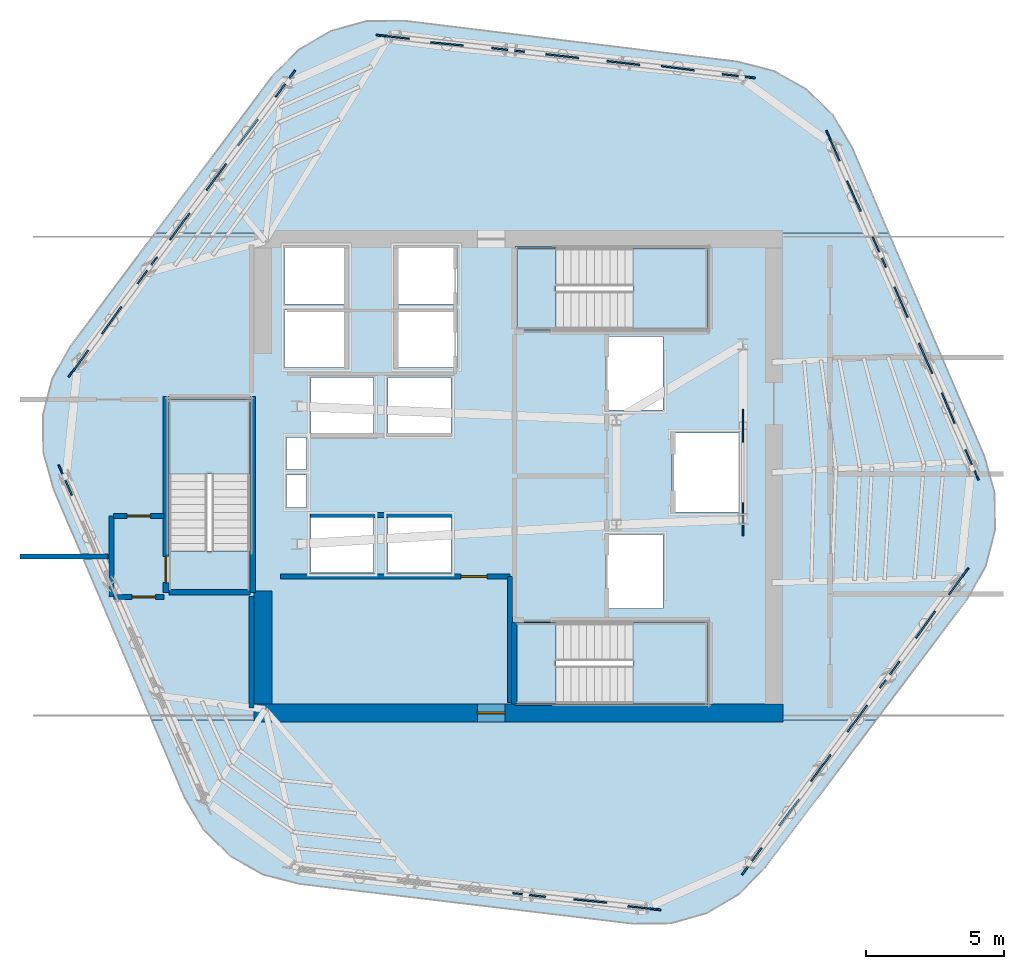
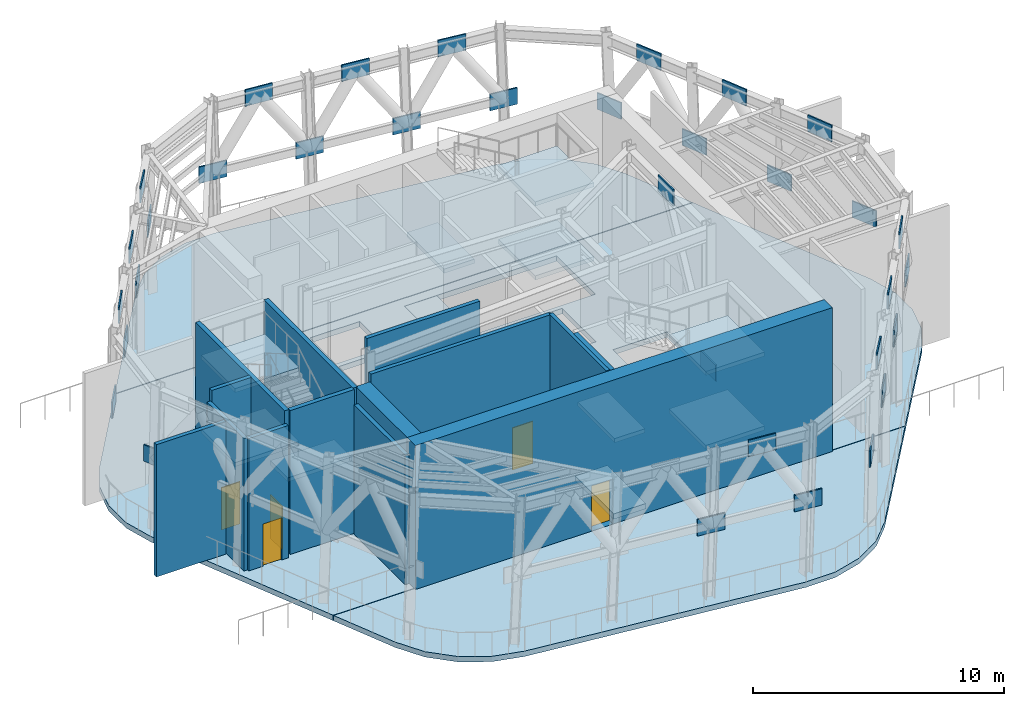
# One storey, part 4 of 10: 34 plates, 14 slabs, 14 walls, 5 doors, 5 openings, 3 elements without a shape of their own.
"""IFC4 building model written with IfcOpenShell, lengths in metres."""

from ifc_helpers import new_model, si_unit, direction, frame, frame_2d, origin, origin_2d, place, context, subcontext, project, spatial, polyline, rectangle, outline, extrude, material, layer, layer_set, type_object, element, fill, aggregate, save


model = new_model("IFC4")

# Units and contexts
model_context = context("Model", 3, precision=1e-05, world=origin(), true_north=direction((0.0, 1.0)))
body_context = subcontext(model_context, "Body", "Model", "MODEL_VIEW")
ifc_project = project(units=[si_unit("LENGTHUNIT", "METRE"), si_unit("AREAUNIT", "SQUARE_METRE"), si_unit("VOLUMEUNIT", "CUBIC_METRE"), si_unit("PLANEANGLEUNIT", "RADIAN"), si_unit("MASSUNIT", "GRAM", prefix="KILO")], contexts=[model_context])

# Site, building, storey
site_placement = place(None, origin())
site = spatial("IfcSite", under=ifc_project, at=site_placement, CompositionType="ELEMENT")
building_placement = place(site_placement, origin())
building = spatial("IfcBuilding", under=site, at=building_placement, Name="Valkerne Bourse Tower", CompositionType="ELEMENT")
storey_placement = place(building_placement, frame((0.0, 0.0, 251.199951171875)))
storey = spatial("IfcBuildingStorey", under=building, at=storey_placement, Name="L64", CompositionType="ELEMENT", Elevation=251.199951171875)

# Plates
ifc_material_1 = material(Name="Steel ASTM A572 Grade 50", Category="steel")
ifc_layer_1 = layer(ifc_material_1, 0.06005859375)
ifc_layer_set_1 = layer_set([ifc_layer_1], Name="Steel ASTM A572 Grade 50")
plate_type = type_object("IfcPlateType", Name="PLT-GUS-60", PredefinedType="SHEET", material=ifc_layer_set_1)
for number, where, z_axis, x_axis, name in (
    (1, (54.788330078125, 41.390625, 3.10009765625), (0.0, 0.0, 1.0), (-0.993650644295, 0.112509542228, 0.0), "L64 Brace Node Gusset Plate PLT-GUS-END-L64-284"),
    (2, (50.603271484375, 41.86474609375, 3.10009765625), (0.0, 0.0, 1.0), (-0.993650644295, 0.112509542228, 0.0), "L64 Brace Node Gusset Plate PLT-GUS-END-L64-285"),
    (3, (52.57763671875, 41.67529296875, 6.3232421875), (0.0, 0.0, 1.0), (-0.991805493047, 0.127757050534, 0.0), "L64 Brace Node Gusset Plate PLT-GUS-END-L64-286"),
    (4, (46.41796875, 42.338623046875, 3.10009765625), (0.0, 0.0, 1.0), (-0.993650644295, 0.112509542228, 0.0), "L64 Brace Node Gusset Plate PLT-GUS-END-L64-287"),
    (5, (48.388671875, 42.115478515625, 6.3232421875), (0.0, 0.0, 1.0), (-0.993650644295, 0.112509542228, 0.0), "L64 Brace Node Gusset Plate PLT-GUS-END-L64-288"),
    (6, (42.23291015625, 42.812744140625, 3.10009765625), (0.0, 0.0, 1.0), (-0.993650644295, 0.112509542228, 0.0), "L64 Brace Node Gusset Plate PLT-GUS-END-L64-289"),
    (7, (44.19970703125, 42.555908203125, 6.3232421875), (0.0, 0.0, 1.0), (-0.995244416253, 0.097409198324, 0.0), "L64 Brace Node Gusset Plate PLT-GUS-END-L64-290"),
    (8, (38.33154296875, 41.11328125, 3.10009765625), (0.0, 0.0, 1.0), (-0.594261443885, -0.804271929332, 0.0), "L64 Brace Node Gusset Plate PLT-GUS-END-L64-291"),
    (9, (35.828369140625, 37.72607421875, 3.10009765625), (0.0, 0.0, 1.0), (-0.594261443885, -0.804271929332, 0.0), "L64 Brace Node Gusset Plate PLT-GUS-END-L64-292"),
    (10, (36.979736328125, 39.34130859375, 6.3232421875), (0.0, 0.0, 1.0), (-0.606543597799, -0.795050227325, 0.0), "L64 Brace Node Gusset Plate PLT-GUS-END-L64-293"),
    (11, (33.3251953125, 34.338623046875, 3.10009765625), (0.0, 0.0, 1.0), (-0.594261443885, -0.804271929332, 0.0), "L64 Brace Node Gusset Plate PLT-GUS-END-L64-294"),
    (12, (34.50390625, 35.93359375, 6.3232421875), (0.0, 0.0, 1.0), (-0.594261443885, -0.804271929332, 0.0), "L64 Brace Node Gusset Plate PLT-GUS-END-L64-295"),
    (13, (30.822265625, 30.951171875, 3.10009765625), (0.0, 0.0, 1.0), (-0.594261443885, -0.804271929332, 0.0), "L64 Brace Node Gusset Plate PLT-GUS-END-L64-296"),
    (14, (32.0283203125, 32.52587890625, 6.3232421875), (0.0, 0.0, 1.0), (-0.581981048437, -0.813202348287, 0.0), "L64 Brace Node Gusset Plate PLT-GUS-END-L64-297"),
    (15, (30.34326171875, 26.72265625, 3.10009765625), (0.0, 0.0, 1.0), (0.39938920041, -0.91678147156, 0.0), "L64 Brace Node Gusset Plate PLT-GUS-END-L64-298"),
    (16, (47.181884765625, 11.661376953125, 3.10009765625), (0.0, 0.0, 1.0), (0.993650644295, -0.112509542228, 0.0), "L64 Brace Node Gusset Plate PLT-GUS-END-L64-308"),
    (17, (51.366943359375, 11.187255859375, 3.10009765625), (0.0, 0.0, 1.0), (0.993650644295, -0.112509542228, 0.0), "L64 Brace Node Gusset Plate PLT-GUS-END-L64-310"),
    (18, (49.400146484375, 11.4443359375, 6.3232421875), (0.0, 0.0, 1.0), (0.995244416253, -0.097409198324, 0.0), "L64 Brace Node Gusset Plate PLT-GUS-END-L64-311"),
    (19, (55.2685546875, 12.88671875, 3.10009765625), (0.0, 0.0, 1.0), (0.594261443885, 0.804271929332, 0.0), "L64 Brace Node Gusset Plate PLT-GUS-END-L64-312"),
    (20, (57.771484375, 16.27392578125, 3.10009765625), (0.0, 0.0, 1.0), (0.594261443885, 0.804271929332, 0.0), "L64 Brace Node Gusset Plate PLT-GUS-END-L64-313"),
    (21, (56.620361328125, 14.65869140625, 6.3232421875), (0.0, 0.0, 1.0), (0.606543597799, 0.795050227325, 0.0), "L64 Brace Node Gusset Plate PLT-GUS-END-L64-314"),
    (22, (60.274658203125, 19.661376953125, 3.10009765625), (0.0, 0.0, 1.0), (0.594261443885, 0.804271929332, 0.0), "L64 Brace Node Gusset Plate PLT-GUS-END-L64-315"),
    (23, (59.095947265625, 18.06640625, 6.3232421875), (0.0, 0.0, 1.0), (0.594261443885, 0.804271929332, 0.0), "L64 Brace Node Gusset Plate PLT-GUS-END-L64-316"),
    (24, (62.77783203125, 23.048828125, 3.10009765625), (0.0, 0.0, 1.0), (0.594261443885, 0.804271929332, 0.0), "L64 Brace Node Gusset Plate PLT-GUS-END-L64-317"),
    (25, (61.57177734375, 21.47412109375, 6.3232421875), (0.0, 0.0, 1.0), (0.581981048437, 0.813202348287, 0.0), "L64 Brace Node Gusset Plate PLT-GUS-END-L64-318"),
    (26, (63.2568359375, 27.27734375, 3.10009765625), (0.0, 0.0, 1.0), (-0.39938920041, 0.91678147156, 0.0), "L64 Brace Node Gusset Plate PLT-GUS-END-L64-319"),
    (27, (61.57470703125, 31.138671875, 3.10009765625), (0.0, 0.0, 1.0), (-0.39938920041, 0.91678147156, 0.0), "L64 Brace Node Gusset Plate PLT-GUS-END-L64-320"),
    (28, (62.39794921875, 29.333984375, 6.3232421875), (0.0, 0.0, 1.0), (-0.385422949633, 0.922740022919, 0.0), "L64 Brace Node Gusset Plate PLT-GUS-END-L64-321"),
    (29, (59.892822265625, 35.0, 3.10009765625), (0.0, 0.0, 1.0), (-0.39938920041, 0.91678147156, 0.0), "L64 Brace Node Gusset Plate PLT-GUS-END-L64-322"),
    (30, (60.684814453125, 33.181884765625, 6.3232421875), (0.0, 0.0, 1.0), (-0.39938920041, 0.91678147156, 0.0), "L64 Brace Node Gusset Plate PLT-GUS-END-L64-323"),
    (31, (58.210693359375, 38.861572265625, 3.10009765625), (0.0, 0.0, 1.0), (-0.39938920041, 0.91678147156, 0.0), "L64 Brace Node Gusset Plate PLT-GUS-END-L64-324"),
    (32, (58.9716796875, 37.02978515625, 6.3232421875), (0.0, 0.0, 1.0), (-0.413263367815, 0.910611546611, 0.0), "L64 Brace Node Gusset Plate PLT-GUS-END-L64-325"),
    (33, (54.949951171875, 25.300048828125, -0.18017578125), (0.0, 0.0, 1.0), (0.0, 1.0, 0.0), "L64 Brace Node Gusset Plate PLT-GUS-END-L64-444"),
    (34, (54.949951171875, 28.699951171875, 6.2939453125), (0.0, 0.0, 1.0), (0.0, 1.0, 0.0), "L64 Brace Node Gusset Plate PLT-GUS-END-L64-445"),
):
    element("IfcPlate", number, at=place(storey_placement, frame(where, z_axis=z_axis, x_axis=x_axis)), inside=storey, type_object=plate_type, Name=name, PredefinedType="SHEET", context=body_context, shape_type="SweptSolid", body=[
        extrude(rectangle(XDim=1.199951171875, YDim=0.06005859375, at=origin_2d()), origin(), (0.0, 0.0, 1.0), 0.800048828125),
    ])

# Slabs
ifc_material_2 = material(Name="Concrete C40/50", Category="concrete")
ifc_layer_2 = layer(ifc_material_2, 0.260009765625)
ifc_layer_set_2 = layer_set([ifc_layer_2], Name="Concrete C40/50")
slab_type_1 = type_object("IfcSlabType", Name="SLB-PTL-260", PredefinedType="FLOOR", material=ifc_layer_set_2)
slab_1_placement = place(storey_placement, frame((0.0, 0.0, -0.260009765625)))
element("IfcSlab", 35, at=slab_1_placement, inside=storey, type_object=slab_type_1, Name="L64 Wind Portal Central Core & Bridge Slab", PredefinedType="FLOOR", context=body_context, shape_type="SweptSolid", body=[
    extrude(outline(polyline([(60.230712890625, 35.699951171875), (63.71337890625, 27.572265625), (64.07861328125, 26.264892578125), (64.0927734375, 24.907470703125), (63.755126953125, 23.592529296875), (63.088623046875, 22.409912109375), (59.79638671875, 18.0400390625), (33.4697265625, 18.0400390625), (29.90966796875, 26.425048828125), (29.544677734375, 27.732421875), (29.530517578125, 29.08984375), (29.867919921875, 30.40478515625), (30.534423828125, 31.58740234375), (33.61181640625, 35.699951171875), (60.230712890625, 35.699951171875)]), holes=[polyline([(34.034912109375, 22.6650390625), (34.034912109375, 29.675048828125), (37.114990234375, 29.675048828125), (37.114990234375, 22.6650390625), (34.034912109375, 22.6650390625)]), polyline([(38.31005859375, 32.889892578125), (40.590087890625, 32.889892578125), (40.590087890625, 30.81005859375), (38.31005859375, 30.81005859375), (38.31005859375, 32.889892578125)]), polyline([(38.31005859375, 35.18994140625), (40.590087890625, 35.18994140625), (40.590087890625, 33.110107421875), (38.31005859375, 33.110107421875), (38.31005859375, 35.18994140625)]), polyline([(38.3798828125, 26.89990234375), (39.10009765625, 26.89990234375), (39.10009765625, 25.72998046875), (38.3798828125, 25.72998046875), (38.3798828125, 26.89990234375)]), polyline([(38.3798828125, 28.27001953125), (39.10009765625, 28.27001953125), (39.10009765625, 27.10009765625), (38.3798828125, 27.10009765625), (38.3798828125, 28.27001953125)]), polyline([(39.260009765625, 25.43994140625), (41.5400390625, 25.43994140625), (41.5400390625, 23.360107421875), (39.260009765625, 23.360107421875), (39.260009765625, 25.43994140625)]), polyline([(39.260009765625, 30.43994140625), (41.5400390625, 30.43994140625), (41.5400390625, 28.360107421875), (39.260009765625, 28.360107421875), (39.260009765625, 30.43994140625)]), polyline([(42.06005859375, 25.43994140625), (44.340087890625, 25.43994140625), (44.340087890625, 23.360107421875), (42.06005859375, 23.360107421875), (42.06005859375, 25.43994140625)]), polyline([(42.06005859375, 30.43994140625), (44.340087890625, 30.43994140625), (44.340087890625, 28.360107421875), (42.06005859375, 28.360107421875), (42.06005859375, 30.43994140625)]), polyline([(42.31005859375, 32.889892578125), (44.590087890625, 32.889892578125), (44.590087890625, 30.81005859375), (42.31005859375, 30.81005859375), (42.31005859375, 32.889892578125)]), polyline([(42.31005859375, 35.18994140625), (44.590087890625, 35.18994140625), (44.590087890625, 33.110107421875), (42.31005859375, 33.110107421875), (42.31005859375, 35.18994140625)]), polyline([(46.6650390625, 21.614990234375), (53.675048828125, 21.614990234375), (53.675048828125, 18.534912109375), (46.6650390625, 18.534912109375), (46.6650390625, 21.614990234375)]), polyline([(46.6650390625, 35.215087890625), (53.675048828125, 35.215087890625), (53.675048828125, 32.135009765625), (46.6650390625, 32.135009765625), (46.6650390625, 35.215087890625)]), polyline([(49.9599609375, 24.739990234375), (52.0400390625, 24.739990234375), (52.0400390625, 22.06005859375), (49.9599609375, 22.06005859375), (49.9599609375, 24.739990234375)]), polyline([(49.9599609375, 31.93994140625), (52.0400390625, 31.93994140625), (52.0400390625, 29.260009765625), (49.9599609375, 29.260009765625), (49.9599609375, 31.93994140625)]), polyline([(52.360107421875, 28.43994140625), (54.840087890625, 28.43994140625), (54.840087890625, 25.56005859375), (52.360107421875, 25.56005859375), (52.360107421875, 28.43994140625)])]), origin(), (0.0, 0.0, 1.0), 0.260009765625),
])
slab_2_placement = place(storey_placement, frame((0.0, 0.0, -0.260009765625)))
element("IfcSlab", 36, at=slab_2_placement, inside=storey, type_object=slab_type_1, Name="L64 Open Wind Portal Refuge Deck S", PredefinedType="FLOOR", context=body_context, shape_type="SweptSolid", body=[
    extrude(outline(polyline([(55.7431640625, 12.66015625), (54.79345703125, 11.690185546875), (53.625, 10.999267578125), (52.3173828125, 10.634033203125), (50.960205078125, 10.619873046875), (38.8388671875, 12.06640625), (37.52392578125, 12.404052734375), (36.34130859375, 13.0703125), (35.37158203125, 14.020263671875), (34.680419921875, 15.188720703125), (33.478271484375, 18.02001953125), (59.78125, 18.02001953125), (55.7431640625, 12.66015625)])), origin(), (0.0, 0.0, 1.0), 0.260009765625),
])
slab_3_placement = place(storey_placement, frame((0.0, 0.0, -0.260009765625)))
element("IfcSlab", 37, at=slab_3_placement, inside=storey, type_object=slab_type_1, Name="L64 Open Wind Portal Refuge Deck N", PredefinedType="FLOOR", context=body_context, shape_type="SweptSolid", body=[
    extrude(outline(polyline([(37.84765625, 41.361328125), (38.797607421875, 42.331298828125), (39.9658203125, 43.022216796875), (41.2734375, 43.38720703125), (42.630859375, 43.401611328125), (54.747314453125, 41.914794921875), (56.06201171875, 41.577392578125), (57.24462890625, 40.910888671875), (58.214599609375, 39.961181640625), (58.905517578125, 38.792724609375), (60.22216796875, 35.719970703125), (33.626708984375, 35.719970703125), (37.84765625, 41.361328125)])), origin(), (0.0, 0.0, 1.0), 0.260009765625),
])
ifc_layer_3 = layer(ifc_material_2, 0.25)
ifc_layer_set_3 = layer_set([ifc_layer_3], Name="Concrete C40/50")
slab_type_2 = type_object("IfcSlabType", Name="SLB-RMP-LND-250", PredefinedType="LANDING", material=ifc_layer_set_3)
slab_4_placement = place(storey_placement, frame((0.0, 0.0, -0.260009765625)))
element("IfcSlab", 38, at=slab_4_placement, inside=storey, type_object=slab_type_2, Name="L64 ST-1 Floor Landing Slab", PredefinedType="LANDING", context=body_context, shape_type="SweptSolid", body=[
    extrude(outline(polyline([(46.669921875, 18.5400390625), (48.14990234375, 18.5400390625), (48.14990234375, 21.610107421875), (46.669921875, 21.610107421875), (46.669921875, 18.5400390625)])), origin(), (0.0, 0.0, 1.0), 0.260009765625),
])
slab_5_placement = place(storey_placement, frame((0.0, 0.0, -0.260009765625)))
element("IfcSlab", 39, at=slab_5_placement, inside=storey, type_object=slab_type_2, Name="L64 ST-2 Floor Landing Slab", PredefinedType="LANDING", context=body_context, shape_type="SweptSolid", body=[
    extrude(outline(polyline([(46.669921875, 32.139892578125), (48.14990234375, 32.139892578125), (48.14990234375, 35.2099609375), (46.669921875, 35.2099609375), (46.669921875, 32.139892578125)])), origin(), (0.0, 0.0, 1.0), 0.260009765625),
])

# Stair, slabs
stair_type = type_object("IfcStairType", Name="ST-CORE-1400", PredefinedType="HALF_TURN_STAIR", material=ifc_material_2)
stair_1_placement = place(storey_placement, origin())
stair_1 = element("IfcStair", 40, at=stair_1_placement, inside=storey, type_object=stair_type, Name="L64 ST-1", PredefinedType="HALF_TURN_STAIR")
ifc_layer_4 = layer(ifc_material_2, 0.179931640625)
ifc_layer_set_4 = layer_set([ifc_layer_4], Name="Concrete C40/50")
slab_type_3 = type_object("IfcSlabType", Name="SLB-ST-LND-180", PredefinedType="LANDING", material=ifc_layer_set_4)
slab_6_placement = place(storey_placement, frame((0.0, 0.0, 1.60009765625)))
slab_6 = element("IfcSlab", 41, at=slab_6_placement, type_object=slab_type_3, Name="ST-1 landing 1", PredefinedType="LANDING", context=body_context, shape_type="SweptSolid", body=[
    extrude(outline(polyline([(50.949951171875, 18.60009765625), (53.64990234375, 18.60009765625), (53.64990234375, 21.550048828125), (50.949951171875, 21.550048828125), (50.949951171875, 18.60009765625)])), origin(), (0.0, 0.0, 1.0), 0.199951171875),
])
slab_7_placement = place(storey_placement, frame((0.0, 0.0, 3.400146484375)))
slab_7 = element("IfcSlab", 42, at=slab_7_placement, type_object=slab_type_3, Name="ST-1 landing 2", PredefinedType="LANDING", context=body_context, shape_type="SweptSolid", body=[
    extrude(outline(polyline([(46.75, 18.60009765625), (48.14990234375, 18.60009765625), (48.14990234375, 21.550048828125), (46.75, 21.550048828125), (46.75, 18.60009765625)])), origin(), (0.0, 0.0, 1.0), 0.199951171875),
])
slab_8_placement = place(storey_placement, frame((0.0, 0.0, 5.199951171875)))
slab_8 = element("IfcSlab", 43, at=slab_8_placement, type_object=slab_type_3, Name="ST-1 landing 3", PredefinedType="LANDING", context=body_context, shape_type="SweptSolid", body=[
    extrude(outline(polyline([(50.949951171875, 18.60009765625), (53.64990234375, 18.60009765625), (53.64990234375, 21.550048828125), (50.949951171875, 21.550048828125), (50.949951171875, 18.60009765625)])), origin(), (0.0, 0.0, 1.0), 0.2001953125),
])
aggregate(stair_1, [slab_6, slab_7, slab_8])

stair_2_placement = place(storey_placement, origin())
stair_2 = element("IfcStair", 44, at=stair_2_placement, inside=storey, type_object=stair_type, Name="L64 ST-2", PredefinedType="HALF_TURN_STAIR")
slab_9_placement = place(storey_placement, frame((0.0, 0.0, 1.60009765625)))
slab_9 = element("IfcSlab", 45, at=slab_9_placement, type_object=slab_type_3, Name="ST-2 landing 1", PredefinedType="LANDING", context=body_context, shape_type="SweptSolid", body=[
    extrude(outline(polyline([(50.949951171875, 32.199951171875), (53.64990234375, 32.199951171875), (53.64990234375, 35.14990234375), (50.949951171875, 35.14990234375), (50.949951171875, 32.199951171875)])), origin(), (0.0, 0.0, 1.0), 0.199951171875),
])
slab_10_placement = place(storey_placement, frame((0.0, 0.0, 3.400146484375)))
slab_10 = element("IfcSlab", 46, at=slab_10_placement, type_object=slab_type_3, Name="ST-2 landing 2", PredefinedType="LANDING", context=body_context, shape_type="SweptSolid", body=[
    extrude(outline(polyline([(46.75, 32.199951171875), (48.14990234375, 32.199951171875), (48.14990234375, 35.14990234375), (46.75, 35.14990234375), (46.75, 32.199951171875)])), origin(), (0.0, 0.0, 1.0), 0.199951171875),
])
slab_11_placement = place(storey_placement, frame((0.0, 0.0, 5.199951171875)))
slab_11 = element("IfcSlab", 47, at=slab_11_placement, type_object=slab_type_3, Name="ST-2 landing 3", PredefinedType="LANDING", context=body_context, shape_type="SweptSolid", body=[
    extrude(outline(polyline([(50.949951171875, 32.199951171875), (53.64990234375, 32.199951171875), (53.64990234375, 35.14990234375), (50.949951171875, 35.14990234375), (50.949951171875, 32.199951171875)])), origin(), (0.0, 0.0, 1.0), 0.2001953125),
])
aggregate(stair_2, [slab_9, slab_10, slab_11])

stair_3_placement = place(storey_placement, origin())
stair_3 = element("IfcStair", 48, at=stair_3_placement, inside=storey, type_object=stair_type, Name="L64 ST-3", PredefinedType="HALF_TURN_STAIR")
slab_12_placement = place(storey_placement, frame((0.0, 0.0, 1.60009765625)))
slab_12 = element("IfcSlab", 49, at=slab_12_placement, type_object=slab_type_3, Name="ST-3 landing 1", PredefinedType="LANDING", context=body_context, shape_type="SweptSolid", body=[
    extrude(outline(polyline([(37.050048828125, 26.949951171875), (37.050048828125, 29.64990234375), (34.10009765625, 29.64990234375), (34.10009765625, 26.949951171875), (37.050048828125, 26.949951171875)])), origin(), (0.0, 0.0, 1.0), 0.199951171875),
])
slab_13_placement = place(storey_placement, frame((0.0, 0.0, 3.400146484375)))
slab_13 = element("IfcSlab", 50, at=slab_13_placement, type_object=slab_type_3, Name="ST-3 landing 2", PredefinedType="LANDING", context=body_context, shape_type="SweptSolid", body=[
    extrude(outline(polyline([(37.050048828125, 22.75), (37.050048828125, 24.14990234375), (34.10009765625, 24.14990234375), (34.10009765625, 22.75), (37.050048828125, 22.75)])), origin(), (0.0, 0.0, 1.0), 0.199951171875),
])
slab_14_placement = place(storey_placement, frame((0.0, 0.0, 5.199951171875)))
slab_14 = element("IfcSlab", 51, at=slab_14_placement, type_object=slab_type_3, Name="ST-3 landing 3", PredefinedType="LANDING", context=body_context, shape_type="SweptSolid", body=[
    extrude(outline(polyline([(37.050048828125, 26.949951171875), (37.050048828125, 29.64990234375), (34.10009765625, 29.64990234375), (34.10009765625, 26.949951171875), (37.050048828125, 26.949951171875)])), origin(), (0.0, 0.0, 1.0), 0.2001953125),
])
aggregate(stair_3, [slab_12, slab_13, slab_14])

# Wall, opening, door
ifc_material_3 = material(Name="Concrete C55/67", Category="concrete")
ifc_layer_5 = layer(ifc_material_3, 0.64990234375)
ifc_layer_set_5 = layer_set([ifc_layer_5], Name="Concrete C55/67")
wall_type_1 = type_object("IfcWallType", Name="W-CORE-650", PredefinedType="SHEAR", material=ifc_layer_set_5)
wall_1_placement = place(storey_placement, frame((37.199951171875, 18.27490234375, 0.0), z_axis=(0.0, 0.0, 1.0), x_axis=(1.0, 0.0, 0.0)))
wall_1 = element("IfcWall", 52, at=wall_1_placement, inside=storey, type_object=wall_type_1, Name="L64 Core Shear Wall SOUTH", PredefinedType="SHEAR", context=body_context, shape_type="SweptSolid", body=[
    extrude(rectangle(XDim=19.199951171875, YDim=0.64990234375, at=frame_2d((9.60009765625, 0.0))), origin(), (0.0, 0.0, 1.0), 7.0),
])
opening_1_placement = place(wall_1_placement, frame((8.10009765625, 0.0, 0.0)))
opening_1 = element("IfcOpeningElement", 53, at=opening_1_placement, cuts=wall_1, Name="Opening DT-1000", PredefinedType="OPENING", context=body_context, shape_type="SweptSolid", body=[
    extrude(rectangle(XDim=1.0, YDim=2.199951171875, at=frame_2d((0.5, 1.10009765625))), frame((0.0, 0.3349609375, 0.0), z_axis=(0.0, -1.0, 0.0), x_axis=(1.0, 0.0, 0.0)), (0.0, 0.0, 1.0), 0.669921875),
])
ifc_material_4 = material(Name="Glass IGU Low-E Double Glazed", Category="glass")
door_type_1 = type_object("IfcDoorType", Name="DR-EXT-TER-1000", OperationType="NOTDEFINED", PredefinedType="DOOR", material=ifc_material_4)
door_1_placement = place(opening_1_placement, origin())
door_1 = element("IfcDoor", 54, at=door_1_placement, inside=storey, type_object=door_type_1, Name="L64 Wind Portal Refuge Deck Door SOUTH", OperationType="SINGLE_SWING_LEFT", OverallHeight=2.199951171875, OverallWidth=1.0, PredefinedType="DOOR", context=body_context, shape_type="SweptSolid", body=[
    extrude(rectangle(XDim=1.0, YDim=2.199951171875, at=frame_2d((0.5, 1.10009765625))), frame((0.0, 0.02490234375, 0.0), z_axis=(0.0, -1.0, 0.0), x_axis=(1.0, 0.0, 0.0)), (0.0, 0.0, 1.0), 0.050048828125),
])
fill(opening_1, door_1)

# Walls
wall_2_placement = place(storey_placement, frame((37.52490234375, 18.60009765625, 0.0), z_axis=(0.0, 0.0, 1.0), x_axis=(0.0, 1.0, 0.0)))
element("IfcWall", 55, at=wall_2_placement, inside=storey, type_object=wall_type_1, Name="L64 Core Shear Wall WEST-S", PredefinedType="SHEAR", context=body_context, shape_type="SweptSolid", body=[
    extrude(rectangle(XDim=4.099853515625, YDim=0.64990234375, at=frame_2d((2.0498046875, 0.0))), origin(), (0.0, 0.0, 1.0), 7.0),
])
ifc_material_5 = material(Name="Gypsum Fire-Rated Shaftwall", Category="gypsum")
ifc_layer_6 = layer(ifc_material_5, 0.179931640625)
ifc_layer_set_6 = layer_set([ifc_layer_6], Name="Gypsum Fire-Rated Shaftwall")
wall_type_2 = type_object("IfcWallType", Name="W-FSAE-180", PredefinedType="PARTITIONING", material=ifc_layer_set_6)
wall_3_placement = place(storey_placement, frame((46.47998046875, 18.64990234375, 0.0), z_axis=(0.0, 0.0, 1.0), x_axis=(0.0, 1.0, 0.0)))
element("IfcWall", 56, at=wall_3_placement, inside=storey, type_object=wall_type_2, Name="L64 L64 Central Plant East Wall", PredefinedType="PARTITIONING", context=body_context, shape_type="SweptSolid", body=[
    extrude(rectangle(XDim=4.570068359375, YDim=0.179931640625, at=frame_2d((2.28515625, 0.0))), origin(), (0.0, 0.0, 1.0), 7.0),
])

# Wall, opening, door
wall_4_placement = place(storey_placement, frame((38.14990234375, 23.219970703125, 0.0), z_axis=(0.0, 0.0, 1.0), x_axis=(1.0, 0.0, 0.0)))
wall_4 = element("IfcWall", 57, at=wall_4_placement, inside=storey, type_object=wall_type_2, Name="L64 L64 Central Plant North Wall", PredefinedType="PARTITIONING", context=body_context, shape_type="SweptSolid", body=[
    extrude(rectangle(XDim=8.330078125, YDim=0.179931640625, at=frame_2d((4.1650390625, 0.0))), origin(), (0.0, 0.0, 1.0), 7.0),
])
opening_2_placement = place(wall_4_placement, frame((6.550048828125, 0.0, 0.0)))
opening_2 = element("IfcOpeningElement", 58, at=opening_2_placement, cuts=wall_4, Name="Opening D-SV-950", PredefinedType="OPENING", context=body_context, shape_type="SweptSolid", body=[
    extrude(rectangle(XDim=0.949951171875, YDim=2.050048828125, at=frame_2d((0.47509765625, 1.02490234375))), frame((0.0, 0.099853515625, 0.0), z_axis=(0.0, -1.0, 0.0), x_axis=(1.0, 0.0, 0.0)), (0.0, 0.0, 1.0), 0.199951171875),
])
ifc_material_6 = material(Name="Galvanised Painted Steel", Category="steel")
door_type_2 = type_object("IfcDoorType", Name="DR-SRV-950", OperationType="NOTDEFINED", PredefinedType="DOOR", material=ifc_material_6)
door_2_placement = place(opening_2_placement, origin())
door_2 = element("IfcDoor", 59, at=door_2_placement, inside=storey, type_object=door_type_2, Name="L64 L64 Central Core Plant Door", OperationType="SINGLE_SWING_LEFT", OverallHeight=2.050048828125, OverallWidth=0.949951171875, PredefinedType="DOOR", context=body_context, shape_type="SweptSolid", body=[
    extrude(rectangle(XDim=0.949951171875, YDim=2.050048828125, at=frame_2d((0.47509765625, 1.02490234375))), frame((0.0, 0.02490234375, 0.0), z_axis=(0.0, -1.0, 0.0), x_axis=(1.0, 0.0, 0.0)), (0.0, 0.0, 1.0), 0.050048828125),
])
fill(opening_2, door_2)

wall_5_placement = place(storey_placement, frame((32.10009765625, 25.419921875, 0.0), z_axis=(0.0, 0.0, 1.0), x_axis=(1.0, 0.0, 0.0)))
wall_5 = element("IfcWall", 60, at=wall_5_placement, inside=storey, type_object=wall_type_2, Name="L64 L64 West Refuge North Entry Wall", PredefinedType="PARTITIONING", context=body_context, shape_type="SweptSolid", body=[
    extrude(rectangle(XDim=1.81982421875, YDim=0.179931640625, at=frame_2d((0.909912109375, 0.0))), origin(), (0.0, 0.0, 1.0), 7.0),
])
opening_3_placement = place(wall_5_placement, frame((0.47998046875, 0.0, 0.0)))
opening_3 = element("IfcOpeningElement", 61, at=opening_3_placement, cuts=wall_5, Name="Opening D-WC-900", PredefinedType="OPENING", context=body_context, shape_type="SweptSolid", body=[
    extrude(rectangle(XDim=0.860107421875, YDim=2.050048828125, at=frame_2d((0.43017578125, 1.02490234375))), frame((0.0, 0.099853515625, 0.0), z_axis=(0.0, -1.0, 0.0), x_axis=(1.0, 0.0, 0.0)), (0.0, 0.0, 1.0), 0.199951171875),
])
ifc_material_7 = material(Name="Architectural White Oak Timber", Category="wood")
door_type_3 = type_object("IfcDoorType", Name="DR-WC-900", OperationType="NOTDEFINED", PredefinedType="DOOR", material=ifc_material_7)
door_3_placement = place(opening_3_placement, origin())
door_3 = element("IfcDoor", 62, at=door_3_placement, inside=storey, type_object=door_type_3, Name="L64 L64 West Refuge North Door", OperationType="SINGLE_SWING_LEFT", OverallHeight=2.050048828125, OverallWidth=0.860107421875, PredefinedType="DOOR", context=body_context, shape_type="SweptSolid", body=[
    extrude(rectangle(XDim=0.860107421875, YDim=2.050048828125, at=frame_2d((0.43017578125, 1.02490234375))), frame((0.0, 0.02490234375, 0.0), z_axis=(0.0, -1.0, 0.0), x_axis=(1.0, 0.0, 0.0)), (0.0, 0.0, 1.0), 0.050048828125),
])
fill(opening_3, door_3)

wall_6_placement = place(storey_placement, frame((32.10009765625, 22.47998046875, 0.0), z_axis=(0.0, 0.0, 1.0), x_axis=(1.0, 0.0, 0.0)))
wall_6 = element("IfcWall", 63, at=wall_6_placement, inside=storey, type_object=wall_type_2, Name="L64 L64 West Refuge South Entry Wall", PredefinedType="PARTITIONING", context=body_context, shape_type="SweptSolid", body=[
    extrude(rectangle(XDim=1.81982421875, YDim=0.179931640625, at=frame_2d((0.909912109375, 0.0))), origin(), (0.0, 0.0, 1.0), 6.436279296875),
])
opening_4_placement = place(wall_6_placement, frame((0.659912109375, 0.0, 0.0)))
opening_4 = element("IfcOpeningElement", 64, at=opening_4_placement, cuts=wall_6, Name="Opening D-WC-900", PredefinedType="OPENING", context=body_context, shape_type="SweptSolid", body=[
    extrude(rectangle(XDim=0.860107421875, YDim=2.050048828125, at=frame_2d((0.43017578125, 1.02490234375))), frame((0.0, 0.099853515625, 0.0), z_axis=(0.0, -1.0, 0.0), x_axis=(1.0, 0.0, 0.0)), (0.0, 0.0, 1.0), 0.199951171875),
])
door_4_placement = place(opening_4_placement, origin())
door_4 = element("IfcDoor", 65, at=door_4_placement, inside=storey, type_object=door_type_3, Name="L64 L64 West Refuge South Door", OperationType="SINGLE_SWING_LEFT", OverallHeight=2.050048828125, OverallWidth=0.860107421875, PredefinedType="DOOR", context=body_context, shape_type="SweptSolid", body=[
    extrude(rectangle(XDim=0.860107421875, YDim=2.050048828125, at=frame_2d((0.43017578125, 1.02490234375))), frame((0.0, 0.02490234375, 0.0), z_axis=(0.0, -1.0, 0.0), x_axis=(1.0, 0.0, 0.0)), (0.0, 0.0, 1.0), 0.050048828125),
])
fill(opening_4, door_4)

# Walls
wall_7_placement = place(storey_placement, frame((32.02001953125, 22.47998046875, 0.0), z_axis=(0.0, 0.0, 1.0), x_axis=(0.0, 1.0, 0.0)))
element("IfcWall", 66, at=wall_7_placement, inside=storey, type_object=wall_type_2, Name="L64 L64 West Refuge Pocket Wall", PredefinedType="PARTITIONING", context=body_context, shape_type="SweptSolid", body=[
    extrude(rectangle(XDim=2.93994140625, YDim=0.179931640625, at=frame_2d((1.469970703125, 0.0))), origin(), (0.0, 0.0, 1.0), 6.436279296875),
])
wall_8_placement = place(storey_placement, frame((28.699951171875, 23.949951171875, 0.0), z_axis=(0.0, 0.0, 1.0), x_axis=(1.0, 0.0, 0.0)))
element("IfcWall", 67, at=wall_8_placement, inside=storey, type_object=wall_type_2, Name="L64 L64 West Refuge Sub-Divider", PredefinedType="PARTITIONING", context=body_context, shape_type="SweptSolid", body=[
    extrude(rectangle(XDim=3.199951171875, YDim=0.179931640625, at=frame_2d((1.60009765625, 0.0))), origin(), (0.0, 0.0, 1.0), 6.436279296875),
])
wall_9_placement = place(storey_placement, frame((37.10009765625, 18.449951171875, 0.0), z_axis=(0.0, 0.0, 1.0), x_axis=(0.0, 1.0, 0.0)))
element("IfcWall", 68, at=wall_9_placement, inside=storey, type_object=wall_type_2, Name="L64 L64 West Refuge SE Wall", PredefinedType="PARTITIONING", context=body_context, shape_type="SweptSolid", body=[
    extrude(rectangle(XDim=4.050048828125, YDim=0.179931640625, at=frame_2d((2.02490234375, 0.0))), origin(), (0.0, 0.0, 1.0), 6.296630859375),
])
ifc_material_8 = material(Name="CMU Blockwork Masonry 200mm", Category="masonry")
ifc_layer_7 = layer(ifc_material_8, 0.179931640625)
ifc_layer_set_7 = layer_set([ifc_layer_7], Name="CMU Blockwork Masonry 200mm")
wall_type_3 = type_object("IfcWallType", Name="W-LFT-180", PredefinedType="SOLIDWALL", material=ifc_layer_set_7)
wall_10_placement = place(storey_placement, frame((39.25, 25.449951171875, 0.0), z_axis=(0.0, 0.0, 1.0), x_axis=(1.0, 0.0, 0.0)))
element("IfcWall", 69, at=wall_10_placement, inside=storey, type_object=wall_type_3, Name="L64 High-Zone South Cars Front Wall", PredefinedType="SOLIDWALL", context=body_context, shape_type="SweptSolid", body=[
    extrude(rectangle(XDim=5.199951171875, YDim=0.179931640625, at=frame_2d((2.60009765625, 0.0))), origin(), (0.0, 0.0, 1.0), 7.0),
])
ifc_layer_8 = layer(ifc_material_2, 0.199951171875)
ifc_layer_set_8 = layer_set([ifc_layer_8], Name="Concrete C40/50")
wall_type_4 = type_object("IfcWallType", Name="W-SHF-200", PredefinedType="SHEAR", material=ifc_layer_set_8)
wall_11_placement = place(storey_placement, frame((46.64990234375, 18.60009765625, 0.0), z_axis=(0.0, 0.0, 1.0), x_axis=(0.0, 1.0, 0.0)))
element("IfcWall", 70, at=wall_11_placement, inside=storey, type_object=wall_type_4, Name="L64 Exit Stair ST-1 Structural Shaft Wall West", PredefinedType="SHEAR", context=body_context, shape_type="SweptSolid", body=[
    extrude(rectangle(XDim=2.949951171875, YDim=0.199951171875, at=frame_2d((1.47509765625, 0.0))), origin(), (0.0, 0.0, 1.0), 7.0),
])

# Wall, opening, door
wall_12_placement = place(storey_placement, frame((34.0, 22.64990234375, 0.0), z_axis=(0.0, 0.0, 1.0), x_axis=(0.0, 1.0, 0.0)))
wall_12 = element("IfcWall", 71, at=wall_12_placement, inside=storey, type_object=wall_type_4, Name="L64 Exit Stair ST-3 Structural Shaft Wall West", PredefinedType="SHEAR", context=body_context, shape_type="SweptSolid", body=[
    extrude(rectangle(XDim=7.10009765625, YDim=0.199951171875, at=frame_2d((3.550048828125, 0.0))), origin(), (0.0, 0.0, 1.0), 7.0),
])
opening_5_placement = place(wall_12_placement, frame((0.35009765625, 0.0, 0.0)))
opening_5 = element("IfcOpeningElement", 72, at=opening_5_placement, cuts=wall_12, Name="Opening D-ST-950", PredefinedType="OPENING", context=body_context, shape_type="SweptSolid", body=[
    extrude(rectangle(XDim=0.949951171875, YDim=2.10009765625, at=frame_2d((0.47509765625, 1.050048828125))), frame((0.0, 0.10986328125, 0.0), z_axis=(0.0, -1.0, 0.0), x_axis=(1.0, 0.0, 0.0)), (0.0, 0.0, 1.0), 0.219970703125),
])
door_type_4 = type_object("IfcDoorType", Name="DR-STAIR-950", OperationType="NOTDEFINED", PredefinedType="DOOR", material=ifc_material_6)
door_5_placement = place(opening_5_placement, origin())
door_5 = element("IfcDoor", 73, at=door_5_placement, inside=storey, type_object=door_type_4, Name="L64 Exit Stair ST-3 Door", OperationType="SINGLE_SWING_RIGHT", OverallHeight=2.10009765625, OverallWidth=0.949951171875, PredefinedType="DOOR", context=body_context, shape_type="SweptSolid", body=[
    extrude(rectangle(XDim=0.949951171875, YDim=2.10009765625, at=frame_2d((0.47509765625, 1.050048828125))), frame((0.0, 0.02490234375, 0.0), z_axis=(0.0, -1.0, 0.0), x_axis=(1.0, 0.0, 0.0)), (0.0, 0.0, 1.0), 0.050048828125),
])
fill(opening_5, door_5)

# Walls
wall_13_placement = place(storey_placement, frame((34.10009765625, 22.64990234375, 0.0), z_axis=(0.0, 0.0, 1.0), x_axis=(1.0, 0.0, 0.0)))
element("IfcWall", 74, at=wall_13_placement, inside=storey, type_object=wall_type_4, Name="L64 Exit Stair ST-3 Structural Shaft Wall South", PredefinedType="SHEAR", context=body_context, shape_type="SweptSolid", body=[
    extrude(rectangle(XDim=2.949951171875, YDim=0.199951171875, at=frame_2d((1.47509765625, 0.0))), origin(), (0.0, 0.0, 1.0), 7.0),
])
wall_14_placement = place(storey_placement, frame((37.14990234375, 22.64990234375, 0.0), z_axis=(0.0, 0.0, 1.0), x_axis=(0.0, 1.0, 0.0)))
element("IfcWall", 75, at=wall_14_placement, inside=storey, type_object=wall_type_4, Name="L64 Exit Stair ST-3 Structural Shaft Wall East", PredefinedType="SHEAR", context=body_context, shape_type="SweptSolid", body=[
    extrude(rectangle(XDim=7.10009765625, YDim=0.199951171875, at=frame_2d((3.550048828125, 0.0))), origin(), (0.0, 0.0, 1.0), 7.0),
])

save(model, "model.ifc")
